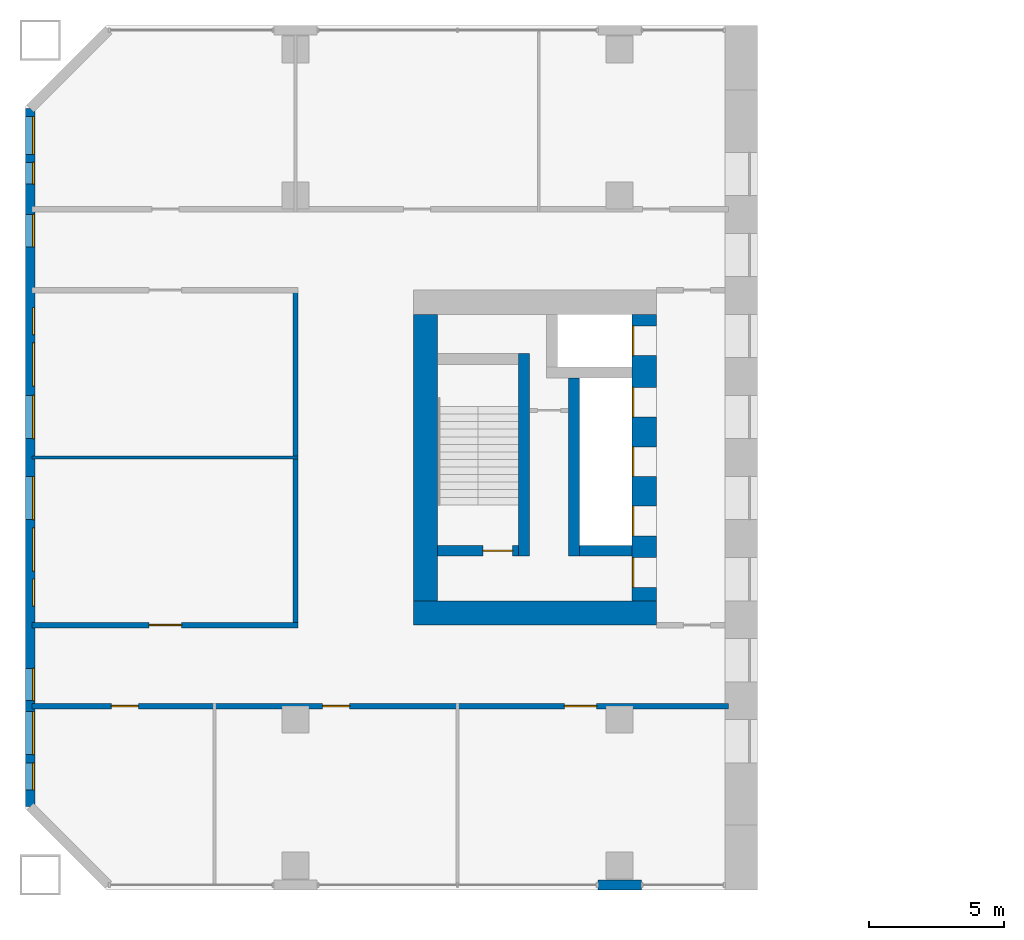
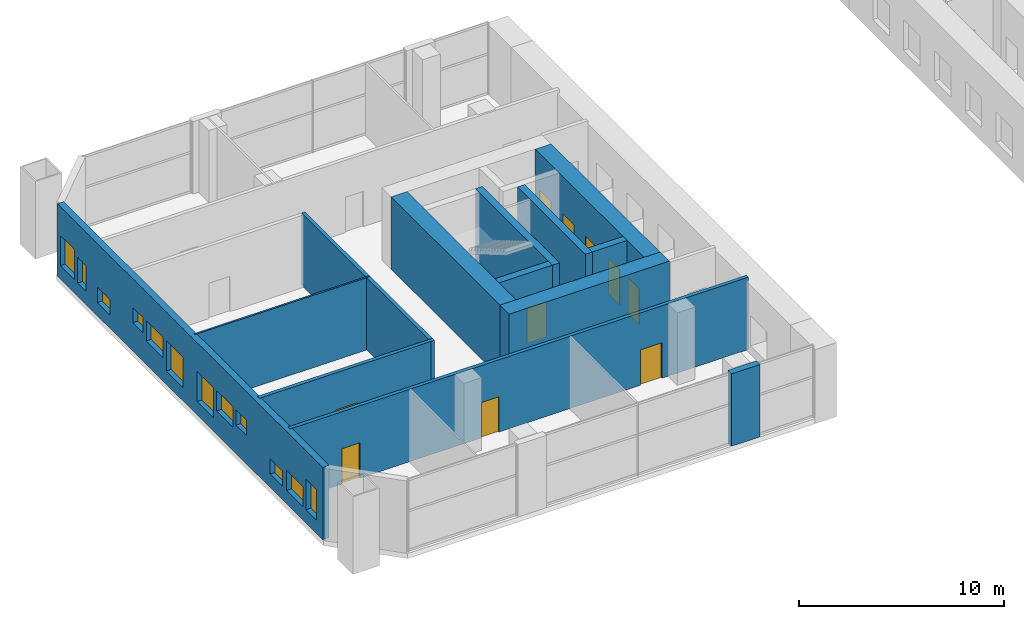
# One storey, part 9 of 19: 13 walls, 12 windows, 10 doors, 22 openings.
"""IFC4 building model written with IfcOpenShell, lengths in metres."""

from ifc_helpers import new_model, si_unit, direction, frame, frame_2d, origin, place, context, subcontext, project, spatial, rectangle, extrude, material, layer, layer_set, type_object, element, fill, save


model = new_model("IFC4")

# Units and contexts
model_context = context("Model", 3, precision=1e-05, world=origin(), true_north=direction((0.0, 1.0)))
body_context = subcontext(model_context, "Body", "Model", "MODEL_VIEW")
ifc_project = project(units=[si_unit("LENGTHUNIT", "METRE"), si_unit("AREAUNIT", "SQUARE_METRE"), si_unit("VOLUMEUNIT", "CUBIC_METRE"), si_unit("PLANEANGLEUNIT", "RADIAN"), si_unit("MASSUNIT", "GRAM", prefix="KILO")], contexts=[model_context])

# Site, building, storey
site_placement = place(None, origin())
site = spatial("IfcSite", under=ifc_project, at=site_placement, CompositionType="ELEMENT")
building_placement = place(site_placement, origin())
building = spatial("IfcBuilding", under=site, at=building_placement, Name="Tuart Gate Housing", CompositionType="ELEMENT")
storey_placement = place(building_placement, frame((0.0, 0.0, 10.10009765625)))
storey = spatial("IfcBuildingStorey", under=building, at=storey_placement, Name="L02", CompositionType="ELEMENT", Elevation=10.10009765625)

# Wall
ifc_material_1 = material(Name="Brick", Category="masonry")
ifc_layer_1 = layer(ifc_material_1, 0.360107421875)
ifc_layer_set_1 = layer_set([ifc_layer_1], Name="Brick pier and spandrel wall 360")
wall_type_1 = type_object("IfcWallType", Name="Brick pier and spandrel wall 360", PredefinedType="STANDARD", material=ifc_layer_set_1)
wall_1_placement = place(storey_placement, frame((39.199951171875, 54.179931640625, 0.0), z_axis=(0.0, 0.0, 1.0), x_axis=(1.0, 0.0, 0.0)))
element("IfcWall", 1, at=wall_1_placement, inside=storey, type_object=wall_type_1, Name="External wall A-S L02", PredefinedType="STANDARD", context=body_context, shape_type="SweptSolid", body=[
    extrude(rectangle(XDim=1.60009765625, YDim=0.360107421875, at=frame_2d((0.800048828125, 0.0))), origin(), (0.0, 0.0, 1.0), 4.2998046875),
])

# Wall, openings, windows
wall_2_placement = place(storey_placement, frame((18.179931640625, 82.92529296875, 0.0), z_axis=(0.0, 0.0, 1.0), x_axis=(0.0, -1.0, 0.0)))
wall_2 = element("IfcWall", 2, at=wall_2_placement, inside=storey, type_object=wall_type_1, Name="External wall A-W L02", PredefinedType="STANDARD", context=body_context, shape_type="SweptSolid", body=[
    extrude(rectangle(XDim=25.850830078125, YDim=0.360107421875, at=frame_2d((12.92529296875, 0.0))), origin(), (0.0, 0.0, 1.0), 4.2998046875),
])
opening_1_placement = place(wall_2_placement, frame((0.300048828125, 0.0, 0.800048828125)))
opening_1 = element("IfcOpeningElement", 3, at=opening_1_placement, cuts=wall_2, Name="Opening W1A", PredefinedType="OPENING", context=body_context, shape_type="SweptSolid", body=[
    extrude(rectangle(XDim=1.39990234375, YDim=1.800048828125, at=frame_2d((0.699951171875, 0.89990234375))), frame((0.0, 0.18994140625, 0.0), z_axis=(0.0, -1.0, 0.0), x_axis=(1.0, 0.0, 0.0)), (0.0, 0.0, 1.0), 0.380126953125),
])
opening_2_placement = place(wall_2_placement, frame((3.92529296875, 0.0, 0.800048828125)))
opening_2 = element("IfcOpeningElement", 4, at=opening_2_placement, cuts=wall_2, Name="Opening W1T", PredefinedType="OPENING", context=body_context, shape_type="SweptSolid", body=[
    extrude(rectangle(XDim=1.199951171875, YDim=0.89990234375, at=frame_2d((0.60009765625, 0.449951171875))), frame((0.0, 0.18994140625, 0.0), z_axis=(0.0, -1.0, 0.0), x_axis=(1.0, 0.0, 0.0)), (0.0, 0.0, 1.0), 0.380126953125),
])
opening_3_placement = place(wall_2_placement, frame((7.37548828125, 0.0, 1.699951171875)))
opening_3 = element("IfcOpeningElement", 5, at=opening_3_placement, cuts=wall_2, Name="Opening W1U", PredefinedType="OPENING", context=body_context, shape_type="SweptSolid", body=[
    extrude(rectangle(XDim=1.0, YDim=0.89990234375, at=frame_2d((0.5, 0.449951171875))), frame((0.0, 0.18994140625, 0.0), z_axis=(0.0, -1.0, 0.0), x_axis=(1.0, 0.0, 0.0)), (0.0, 0.0, 1.0), 0.380126953125),
])
opening_4_placement = place(wall_2_placement, frame((10.62548828125, 0.0, 0.800048828125)))
opening_4 = element("IfcOpeningElement", 6, at=opening_4_placement, cuts=wall_2, Name="Opening W1", PredefinedType="OPENING", context=body_context, shape_type="SweptSolid", body=[
    extrude(rectangle(XDim=1.60009765625, YDim=1.800048828125, at=frame_2d((0.800048828125, 0.89990234375))), frame((0.0, 0.18994140625, 0.0), z_axis=(0.0, -1.0, 0.0), x_axis=(1.0, 0.0, 0.0)), (0.0, 0.0, 1.0), 0.380126953125),
])
opening_5_placement = place(wall_2_placement, frame((13.62548828125, 0.0, 0.800048828125)))
opening_5 = element("IfcOpeningElement", 7, at=opening_5_placement, cuts=wall_2, Name="Opening W1", PredefinedType="OPENING", context=body_context, shape_type="SweptSolid", body=[
    extrude(rectangle(XDim=1.60009765625, YDim=1.800048828125, at=frame_2d((0.800048828125, 0.89990234375))), frame((0.0, 0.18994140625, 0.0), z_axis=(0.0, -1.0, 0.0), x_axis=(1.0, 0.0, 0.0)), (0.0, 0.0, 1.0), 0.380126953125),
])
opening_6_placement = place(wall_2_placement, frame((15.525390625, 0.0, 1.39990234375)))
opening_6 = element("IfcOpeningElement", 8, at=opening_6_placement, cuts=wall_2, Name="Opening W1L", PredefinedType="OPENING", context=body_context, shape_type="SweptSolid", body=[
    extrude(rectangle(XDim=1.60009765625, YDim=1.199951171875, at=frame_2d((0.800048828125, 0.60009765625))), frame((0.0, 0.18994140625, 0.0), z_axis=(0.0, -1.0, 0.0), x_axis=(1.0, 0.0, 0.0)), (0.0, 0.0, 1.0), 0.380126953125),
])
opening_7_placement = place(wall_2_placement, frame((20.725341796875, 0.0, 0.800048828125)))
opening_7 = element("IfcOpeningElement", 9, at=opening_7_placement, cuts=wall_2, Name="Opening W1T", PredefinedType="OPENING", context=body_context, shape_type="SweptSolid", body=[
    extrude(rectangle(XDim=1.199951171875, YDim=0.89990234375, at=frame_2d((0.60009765625, 0.449951171875))), frame((0.0, 0.18994140625, 0.0), z_axis=(0.0, -1.0, 0.0), x_axis=(1.0, 0.0, 0.0)), (0.0, 0.0, 1.0), 0.380126953125),
])
opening_8_placement = place(wall_2_placement, frame((22.325439453125, 0.0, 0.800048828125)))
opening_8 = element("IfcOpeningElement", 10, at=opening_8_placement, cuts=wall_2, Name="Opening W1L", PredefinedType="OPENING", context=body_context, shape_type="SweptSolid", body=[
    extrude(rectangle(XDim=1.60009765625, YDim=1.199951171875, at=frame_2d((0.800048828125, 0.60009765625))), frame((0.0, 0.18994140625, 0.0), z_axis=(0.0, -1.0, 0.0), x_axis=(1.0, 0.0, 0.0)), (0.0, 0.0, 1.0), 0.380126953125),
])
opening_9_placement = place(wall_2_placement, frame((2.0, 0.0, 0.800048828125)))
opening_9 = element("IfcOpeningElement", 11, at=opening_9_placement, cuts=wall_2, Name="Opening W1J", PredefinedType="OPENING", context=body_context, shape_type="SweptSolid", body=[
    extrude(rectangle(XDim=0.800048828125, YDim=1.5, at=frame_2d((0.39990234375, 0.75))), frame((0.0, 0.18994140625, 0.0), z_axis=(0.0, -1.0, 0.0), x_axis=(1.0, 0.0, 0.0)), (0.0, 0.0, 1.0), 0.380126953125),
])
opening_10_placement = place(wall_2_placement, frame((8.67529296875, 0.0, 1.39990234375)))
opening_10 = element("IfcOpeningElement", 12, at=opening_10_placement, cuts=wall_2, Name="Opening W1L", PredefinedType="OPENING", context=body_context, shape_type="SweptSolid", body=[
    extrude(rectangle(XDim=1.60009765625, YDim=1.199951171875, at=frame_2d((0.800048828125, 0.60009765625))), frame((0.0, 0.18994140625, 0.0), z_axis=(0.0, -1.0, 0.0), x_axis=(1.0, 0.0, 0.0)), (0.0, 0.0, 1.0), 0.380126953125),
])
opening_11_placement = place(wall_2_placement, frame((17.42529296875, 0.0, 1.699951171875)))
opening_11 = element("IfcOpeningElement", 13, at=opening_11_placement, cuts=wall_2, Name="Opening W1U", PredefinedType="OPENING", context=body_context, shape_type="SweptSolid", body=[
    extrude(rectangle(XDim=1.0, YDim=0.89990234375, at=frame_2d((0.5, 0.449951171875))), frame((0.0, 0.18994140625, 0.0), z_axis=(0.0, -1.0, 0.0), x_axis=(1.0, 0.0, 0.0)), (0.0, 0.0, 1.0), 0.380126953125),
])
opening_12_placement = place(wall_2_placement, frame((24.225341796875, 0.0, 0.800048828125)))
opening_12 = element("IfcOpeningElement", 14, at=opening_12_placement, cuts=wall_2, Name="Opening W1C", PredefinedType="OPENING", context=body_context, shape_type="SweptSolid", body=[
    extrude(rectangle(XDim=1.0, YDim=1.800048828125, at=frame_2d((0.5, 0.89990234375))), frame((0.0, 0.18994140625, 0.0), z_axis=(0.0, -1.0, 0.0), x_axis=(1.0, 0.0, 0.0)), (0.0, 0.0, 1.0), 0.380126953125),
])
ifc_material_2 = material(Name="Aluminium frame with clear glass", Category="aluminium")
window_type_1 = type_object("IfcWindowType", Name="Punched window 1000 x 1800", PartitioningType="SINGLE_PANEL", PredefinedType="WINDOW", material=ifc_material_2)
window_1_placement = place(opening_12_placement, origin())
window_1 = element("IfcWindow", 15, at=window_1_placement, inside=storey, type_object=window_type_1, Name="Window W1C", OverallHeight=1.800048828125, OverallWidth=1.0, PartitioningType="SINGLE_PANEL", PredefinedType="WINDOW", context=body_context, shape_type="SweptSolid", body=[
    extrude(rectangle(XDim=1.0, YDim=1.800048828125, at=frame_2d((0.5, 0.89990234375))), frame((0.0, 0.150146484375, 0.0), z_axis=(0.0, -1.0, 0.0), x_axis=(1.0, 0.0, 0.0)), (0.0, 0.0, 1.0), 0.06005859375),
])
fill(opening_12, window_1)
ifc_material_3 = material(Name="Aluminium frame with clear glass", Category="aluminium")
window_type_2 = type_object("IfcWindowType", Name="Punched window 1000 x 900", PartitioningType="SINGLE_PANEL", PredefinedType="WINDOW", material=ifc_material_3)
window_2_placement = place(opening_3_placement, origin())
window_2 = element("IfcWindow", 16, at=window_2_placement, inside=storey, type_object=window_type_2, Name="Window W1U", OverallHeight=0.89990234375, OverallWidth=1.0, PartitioningType="SINGLE_PANEL", PredefinedType="WINDOW", context=body_context, shape_type="SweptSolid", body=[
    extrude(rectangle(XDim=1.0, YDim=0.89990234375, at=frame_2d((0.5, 0.449951171875))), frame((0.0, 0.150146484375, 0.0), z_axis=(0.0, -1.0, 0.0), x_axis=(1.0, 0.0, 0.0)), (0.0, 0.0, 1.0), 0.06005859375),
])
fill(opening_3, window_2)
window_3_placement = place(opening_11_placement, origin())
window_3 = element("IfcWindow", 17, at=window_3_placement, inside=storey, type_object=window_type_2, Name="Window W1U", OverallHeight=0.89990234375, OverallWidth=1.0, PartitioningType="SINGLE_PANEL", PredefinedType="WINDOW", context=body_context, shape_type="SweptSolid", body=[
    extrude(rectangle(XDim=1.0, YDim=0.89990234375, at=frame_2d((0.5, 0.449951171875))), frame((0.0, 0.150146484375, 0.0), z_axis=(0.0, -1.0, 0.0), x_axis=(1.0, 0.0, 0.0)), (0.0, 0.0, 1.0), 0.06005859375),
])
fill(opening_11, window_3)
ifc_material_4 = material(Name="Aluminium frame with clear glass", Category="aluminium")
window_type_3 = type_object("IfcWindowType", Name="Punched window 1200 x 900", PartitioningType="SINGLE_PANEL", PredefinedType="WINDOW", material=ifc_material_4)
window_4_placement = place(opening_2_placement, origin())
window_4 = element("IfcWindow", 18, at=window_4_placement, inside=storey, type_object=window_type_3, Name="Window W1T", OverallHeight=0.89990234375, OverallWidth=1.199951171875, PartitioningType="SINGLE_PANEL", PredefinedType="WINDOW", context=body_context, shape_type="SweptSolid", body=[
    extrude(rectangle(XDim=1.199951171875, YDim=0.89990234375, at=frame_2d((0.60009765625, 0.449951171875))), frame((0.0, 0.150146484375, 0.0), z_axis=(0.0, -1.0, 0.0), x_axis=(1.0, 0.0, 0.0)), (0.0, 0.0, 1.0), 0.06005859375),
])
fill(opening_2, window_4)
window_5_placement = place(opening_7_placement, origin())
window_5 = element("IfcWindow", 19, at=window_5_placement, inside=storey, type_object=window_type_3, Name="Window W1T", OverallHeight=0.89990234375, OverallWidth=1.199951171875, PartitioningType="SINGLE_PANEL", PredefinedType="WINDOW", context=body_context, shape_type="SweptSolid", body=[
    extrude(rectangle(XDim=1.199951171875, YDim=0.89990234375, at=frame_2d((0.60009765625, 0.449951171875))), frame((0.0, 0.150146484375, 0.0), z_axis=(0.0, -1.0, 0.0), x_axis=(1.0, 0.0, 0.0)), (0.0, 0.0, 1.0), 0.06005859375),
])
fill(opening_7, window_5)
ifc_material_5 = material(Name="Aluminium frame with clear glass", Category="aluminium")
window_type_4 = type_object("IfcWindowType", Name="Punched window 1400 x 1800", PartitioningType="SINGLE_PANEL", PredefinedType="WINDOW", material=ifc_material_5)
window_6_placement = place(opening_1_placement, origin())
window_6 = element("IfcWindow", 20, at=window_6_placement, inside=storey, type_object=window_type_4, Name="Window W1A", OverallHeight=1.800048828125, OverallWidth=1.39990234375, PartitioningType="SINGLE_PANEL", PredefinedType="WINDOW", context=body_context, shape_type="SweptSolid", body=[
    extrude(rectangle(XDim=1.39990234375, YDim=1.800048828125, at=frame_2d((0.699951171875, 0.89990234375))), frame((0.0, 0.150146484375, 0.0), z_axis=(0.0, -1.0, 0.0), x_axis=(1.0, 0.0, 0.0)), (0.0, 0.0, 1.0), 0.06005859375),
])
fill(opening_1, window_6)
ifc_material_6 = material(Name="Aluminium frame with clear glass", Category="aluminium")
window_type_5 = type_object("IfcWindowType", Name="Punched window 1600 x 1200", PartitioningType="SINGLE_PANEL", PredefinedType="WINDOW", material=ifc_material_6)
window_7_placement = place(opening_6_placement, origin())
window_7 = element("IfcWindow", 21, at=window_7_placement, inside=storey, type_object=window_type_5, Name="Window W1L", OverallHeight=1.199951171875, OverallWidth=1.60009765625, PartitioningType="SINGLE_PANEL", PredefinedType="WINDOW", context=body_context, shape_type="SweptSolid", body=[
    extrude(rectangle(XDim=1.60009765625, YDim=1.199951171875, at=frame_2d((0.800048828125, 0.60009765625))), frame((0.0, 0.150146484375, 0.0), z_axis=(0.0, -1.0, 0.0), x_axis=(1.0, 0.0, 0.0)), (0.0, 0.0, 1.0), 0.06005859375),
])
fill(opening_6, window_7)
window_8_placement = place(opening_8_placement, origin())
window_8 = element("IfcWindow", 22, at=window_8_placement, inside=storey, type_object=window_type_5, Name="Window W1L", OverallHeight=1.199951171875, OverallWidth=1.60009765625, PartitioningType="SINGLE_PANEL", PredefinedType="WINDOW", context=body_context, shape_type="SweptSolid", body=[
    extrude(rectangle(XDim=1.60009765625, YDim=1.199951171875, at=frame_2d((0.800048828125, 0.60009765625))), frame((0.0, 0.150146484375, 0.0), z_axis=(0.0, -1.0, 0.0), x_axis=(1.0, 0.0, 0.0)), (0.0, 0.0, 1.0), 0.06005859375),
])
fill(opening_8, window_8)
window_9_placement = place(opening_10_placement, origin())
window_9 = element("IfcWindow", 23, at=window_9_placement, inside=storey, type_object=window_type_5, Name="Window W1L", OverallHeight=1.199951171875, OverallWidth=1.60009765625, PartitioningType="SINGLE_PANEL", PredefinedType="WINDOW", context=body_context, shape_type="SweptSolid", body=[
    extrude(rectangle(XDim=1.60009765625, YDim=1.199951171875, at=frame_2d((0.800048828125, 0.60009765625))), frame((0.0, 0.150146484375, 0.0), z_axis=(0.0, -1.0, 0.0), x_axis=(1.0, 0.0, 0.0)), (0.0, 0.0, 1.0), 0.06005859375),
])
fill(opening_10, window_9)
ifc_material_7 = material(Name="Aluminium frame with clear glass", Category="aluminium")
window_type_6 = type_object("IfcWindowType", Name="Punched window 1600 x 1800", PartitioningType="SINGLE_PANEL", PredefinedType="WINDOW", material=ifc_material_7)
window_10_placement = place(opening_4_placement, origin())
window_10 = element("IfcWindow", 24, at=window_10_placement, inside=storey, type_object=window_type_6, Name="Window W1", OverallHeight=1.800048828125, OverallWidth=1.60009765625, PartitioningType="SINGLE_PANEL", PredefinedType="WINDOW", context=body_context, shape_type="SweptSolid", body=[
    extrude(rectangle(XDim=1.60009765625, YDim=1.800048828125, at=frame_2d((0.800048828125, 0.89990234375))), frame((0.0, 0.150146484375, 0.0), z_axis=(0.0, -1.0, 0.0), x_axis=(1.0, 0.0, 0.0)), (0.0, 0.0, 1.0), 0.06005859375),
])
fill(opening_4, window_10)
window_11_placement = place(opening_5_placement, origin())
window_11 = element("IfcWindow", 25, at=window_11_placement, inside=storey, type_object=window_type_6, Name="Window W1", OverallHeight=1.800048828125, OverallWidth=1.60009765625, PartitioningType="SINGLE_PANEL", PredefinedType="WINDOW", context=body_context, shape_type="SweptSolid", body=[
    extrude(rectangle(XDim=1.60009765625, YDim=1.800048828125, at=frame_2d((0.800048828125, 0.89990234375))), frame((0.0, 0.150146484375, 0.0), z_axis=(0.0, -1.0, 0.0), x_axis=(1.0, 0.0, 0.0)), (0.0, 0.0, 1.0), 0.06005859375),
])
fill(opening_5, window_11)
ifc_material_8 = material(Name="Aluminium frame with clear glass", Category="aluminium")
window_type_7 = type_object("IfcWindowType", Name="Punched window 800 x 1500", PartitioningType="SINGLE_PANEL", PredefinedType="WINDOW", material=ifc_material_8)
window_12_placement = place(opening_9_placement, origin())
window_12 = element("IfcWindow", 26, at=window_12_placement, inside=storey, type_object=window_type_7, Name="Window W1J", OverallHeight=1.5, OverallWidth=0.800048828125, PartitioningType="SINGLE_PANEL", PredefinedType="WINDOW", context=body_context, shape_type="SweptSolid", body=[
    extrude(rectangle(XDim=0.800048828125, YDim=1.5, at=frame_2d((0.39990234375, 0.75))), frame((0.0, 0.150146484375, 0.0), z_axis=(0.0, -1.0, 0.0), x_axis=(1.0, 0.0, 0.0)), (0.0, 0.0, 1.0), 0.06005859375),
])
fill(opening_9, window_12)

# Wall
ifc_material_9 = material(Name="Concrete C60", Category="concrete")
ifc_layer_2 = layer(ifc_material_9, 0.39990234375)
ifc_layer_set_2 = layer_set([ifc_layer_2], Name="Core wall 400 C60")
wall_type_2 = type_object("IfcWallType", Name="Core wall 400 C60", PredefinedType="SHEAR", material=ifc_layer_set_2)
wall_3_placement = place(storey_placement, frame((40.4599609375, 66.550048828125, 0.0), z_axis=(0.0, 0.0, 1.0), x_axis=(-1.0, 0.0, 0.0)))
element("IfcWall", 27, at=wall_3_placement, inside=storey, type_object=wall_type_2, Name="Core wall AK.4", PredefinedType="SHEAR", context=body_context, shape_type="SweptSolid", body=[
    extrude(rectangle(XDim=1.949951171875, YDim=0.39990234375, at=frame_2d((0.97509765625, 0.0))), origin(), (0.0, 0.0, 1.0), 4.2998046875),
])

# Wall, opening, door
wall_4_placement = place(storey_placement, frame((36.260009765625, 66.550048828125, 0.0), z_axis=(0.0, 0.0, 1.0), x_axis=(-1.0, 0.0, 0.0)))
wall_4 = element("IfcWall", 28, at=wall_4_placement, inside=storey, type_object=wall_type_2, Name="Core wall AK.5", PredefinedType="SHEAR", context=body_context, shape_type="SweptSolid", body=[
    extrude(rectangle(XDim=3.0, YDim=0.39990234375, at=frame_2d((1.5, 0.0))), origin(), (0.0, 0.0, 1.0), 4.2998046875),
])
opening_13_placement = place(wall_4_placement, frame((0.219970703125, 0.0, 0.0)))
opening_13 = element("IfcOpeningElement", 29, at=opening_13_placement, cuts=wall_4, Name="Opening D3192", PredefinedType="OPENING", context=body_context, shape_type="SweptSolid", body=[
    extrude(rectangle(XDim=1.10009765625, YDim=2.10009765625, at=frame_2d((0.550048828125, 1.050048828125))), frame((0.0, 0.2099609375, 0.0), z_axis=(0.0, -1.0, 0.0), x_axis=(1.0, 0.0, 0.0)), (0.0, 0.0, 1.0), 0.419921875),
])
ifc_material_10 = material(Name="Steel fire door", Category="steel")
door_type_1 = type_object("IfcDoorType", Name="Stair door 1100 x 2100 RH", OperationType="SINGLE_SWING_RIGHT", PredefinedType="DOOR", material=ifc_material_10)
door_1_placement = place(opening_13_placement, frame((1.10009765625, 0.0, 0.0), z_axis=(0.0, 0.0, 1.0), x_axis=(-1.0, 0.0, 0.0)))
door_1 = element("IfcDoor", 30, at=door_1_placement, inside=storey, type_object=door_type_1, Name="Stair door AK.SD", OperationType="SINGLE_SWING_RIGHT", OverallHeight=2.10009765625, OverallWidth=1.10009765625, PredefinedType="DOOR", context=body_context, shape_type="SweptSolid", body=[
    extrude(rectangle(XDim=1.10009765625, YDim=2.10009765625, at=frame_2d((0.550048828125, 1.050048828125))), frame((0.0, 0.025146484375, 0.0), z_axis=(0.0, -1.0, 0.0), x_axis=(1.0, 0.0, 0.0)), (0.0, 0.0, 1.0), 0.050048828125),
])
fill(opening_13, door_1)

# Walls
wall_5_placement = place(storey_placement, frame((38.31005859375, 72.949951171875, 0.0), z_axis=(0.0, 0.0, 1.0), x_axis=(0.0, -1.0, 0.0)))
element("IfcWall", 31, at=wall_5_placement, inside=storey, type_object=wall_type_2, Name="Core wall AK.6", PredefinedType="SHEAR", context=body_context, shape_type="SweptSolid", body=[
    extrude(rectangle(XDim=6.599853515625, YDim=0.39990234375, at=frame_2d((3.2998046875, 0.0))), origin(), (0.0, 0.0, 1.0), 4.2998046875),
])
wall_6_placement = place(storey_placement, frame((36.4599609375, 73.85009765625, 0.0), z_axis=(0.0, 0.0, 1.0), x_axis=(0.0, -1.0, 0.0)))
element("IfcWall", 32, at=wall_6_placement, inside=storey, type_object=wall_type_2, Name="Core wall AK.8", PredefinedType="SHEAR", context=body_context, shape_type="SweptSolid", body=[
    extrude(rectangle(XDim=7.5, YDim=0.39990234375, at=frame_2d((3.75, 0.0))), origin(), (0.0, 0.0, 1.0), 4.2998046875),
])

# Wall, openings, doors
ifc_material_11 = material(Name="Concrete C60", Category="concrete")
ifc_layer_3 = layer(ifc_material_11, 0.89990234375)
ifc_layer_set_3 = layer_set([ifc_layer_3], Name="Core wall 900 C60")
wall_type_3 = type_object("IfcWallType", Name="Core wall 900 C60", PredefinedType="SHEAR", material=ifc_layer_set_3)
wall_7_placement = place(storey_placement, frame((40.909912109375, 75.300048828125, 0.0), z_axis=(0.0, 0.0, 1.0), x_axis=(0.0, -1.0, 0.0)))
wall_7 = element("IfcWall", 33, at=wall_7_placement, inside=storey, type_object=wall_type_3, Name="Core wall AK front", PredefinedType="SHEAR", context=body_context, shape_type="SweptSolid", body=[
    extrude(rectangle(XDim=10.60009765625, YDim=0.89990234375, at=frame_2d((5.300048828125, 0.0))), origin(), (0.0, 0.0, 1.0), 4.2998046875),
])
opening_14_placement = place(wall_7_placement, frame((0.425048828125, 0.0, 0.0)))
opening_14 = element("IfcOpeningElement", 34, at=opening_14_placement, cuts=wall_7, Name="Opening LD-FA2", PredefinedType="OPENING", context=body_context, shape_type="SweptSolid", body=[
    extrude(rectangle(XDim=1.10009765625, YDim=2.10009765625, at=frame_2d((0.550048828125, 1.050048828125))), frame((0.0, 0.4599609375, 0.0), z_axis=(0.0, -1.0, 0.0), x_axis=(1.0, 0.0, 0.0)), (0.0, 0.0, 1.0), 0.919921875),
])
opening_15_placement = place(wall_7_placement, frame((2.699951171875, 0.0, 0.0)))
opening_15 = element("IfcOpeningElement", 35, at=opening_15_placement, cuts=wall_7, Name="Opening LD-LA4", PredefinedType="OPENING", context=body_context, shape_type="SweptSolid", body=[
    extrude(rectangle(XDim=1.10009765625, YDim=2.10009765625, at=frame_2d((0.550048828125, 1.050048828125))), frame((0.0, 0.4599609375, 0.0), z_axis=(0.0, -1.0, 0.0), x_axis=(1.0, 0.0, 0.0)), (0.0, 0.0, 1.0), 0.919921875),
])
opening_16_placement = place(wall_7_placement, frame((4.89990234375, 0.0, 0.0)))
opening_16 = element("IfcOpeningElement", 36, at=opening_16_placement, cuts=wall_7, Name="Opening LD-LA5", PredefinedType="OPENING", context=body_context, shape_type="SweptSolid", body=[
    extrude(rectangle(XDim=1.10009765625, YDim=2.10009765625, at=frame_2d((0.550048828125, 1.050048828125))), frame((0.0, 0.4599609375, 0.0), z_axis=(0.0, -1.0, 0.0), x_axis=(1.0, 0.0, 0.0)), (0.0, 0.0, 1.0), 0.919921875),
])
opening_17_placement = place(wall_7_placement, frame((7.10009765625, 0.0, 0.0)))
opening_17 = element("IfcOpeningElement", 37, at=opening_17_placement, cuts=wall_7, Name="Opening LD-LA6", PredefinedType="OPENING", context=body_context, shape_type="SweptSolid", body=[
    extrude(rectangle(XDim=1.10009765625, YDim=2.10009765625, at=frame_2d((0.550048828125, 1.050048828125))), frame((0.0, 0.4599609375, 0.0), z_axis=(0.0, -1.0, 0.0), x_axis=(1.0, 0.0, 0.0)), (0.0, 0.0, 1.0), 0.919921875),
])
opening_18_placement = place(wall_7_placement, frame((9.0, 0.0, 0.0)))
opening_18 = element("IfcOpeningElement", 38, at=opening_18_placement, cuts=wall_7, Name="Opening D3188", PredefinedType="OPENING", context=body_context, shape_type="SweptSolid", body=[
    extrude(rectangle(XDim=1.10009765625, YDim=2.10009765625, at=frame_2d((0.550048828125, 1.050048828125))), frame((0.0, 0.4599609375, 0.0), z_axis=(0.0, -1.0, 0.0), x_axis=(1.0, 0.0, 0.0)), (0.0, 0.0, 1.0), 0.919921875),
])
ifc_material_12 = material(Name="Stainless steel", Category="steel")
door_type_2 = type_object("IfcDoorType", Name="Landing door 1100 x 2100", OperationType="DOUBLE_DOOR_SLIDING", PredefinedType="DOOR", material=ifc_material_12)
door_2_placement = place(opening_14_placement, origin())
door_2 = element("IfcDoor", 39, at=door_2_placement, inside=storey, type_object=door_type_2, Name="Lift landing door FA2", OperationType="DOUBLE_DOOR_SLIDING", OverallHeight=2.10009765625, OverallWidth=1.10009765625, PredefinedType="DOOR", context=body_context, shape_type="SweptSolid", body=[
    extrude(rectangle(XDim=1.10009765625, YDim=2.10009765625, at=frame_2d((0.550048828125, 1.050048828125))), frame((0.0, -0.384765625, 0.0), z_axis=(0.0, -1.0, 0.0), x_axis=(1.0, 0.0, 0.0)), (0.0, 0.0, 1.0), 0.050048828125),
])
fill(opening_14, door_2)
door_3_placement = place(opening_15_placement, origin())
door_3 = element("IfcDoor", 40, at=door_3_placement, inside=storey, type_object=door_type_2, Name="Lift landing door LA4", OperationType="DOUBLE_DOOR_SLIDING", OverallHeight=2.10009765625, OverallWidth=1.10009765625, PredefinedType="DOOR", context=body_context, shape_type="SweptSolid", body=[
    extrude(rectangle(XDim=1.10009765625, YDim=2.10009765625, at=frame_2d((0.550048828125, 1.050048828125))), frame((0.0, -0.384765625, 0.0), z_axis=(0.0, -1.0, 0.0), x_axis=(1.0, 0.0, 0.0)), (0.0, 0.0, 1.0), 0.050048828125),
])
fill(opening_15, door_3)
door_4_placement = place(opening_16_placement, origin())
door_4 = element("IfcDoor", 41, at=door_4_placement, inside=storey, type_object=door_type_2, Name="Lift landing door LA5", OperationType="DOUBLE_DOOR_SLIDING", OverallHeight=2.10009765625, OverallWidth=1.10009765625, PredefinedType="DOOR", context=body_context, shape_type="SweptSolid", body=[
    extrude(rectangle(XDim=1.10009765625, YDim=2.10009765625, at=frame_2d((0.550048828125, 1.050048828125))), frame((0.0, -0.384765625, 0.0), z_axis=(0.0, -1.0, 0.0), x_axis=(1.0, 0.0, 0.0)), (0.0, 0.0, 1.0), 0.050048828125),
])
fill(opening_16, door_4)
door_5_placement = place(opening_17_placement, origin())
door_5 = element("IfcDoor", 42, at=door_5_placement, inside=storey, type_object=door_type_2, Name="Lift landing door LA6", OperationType="DOUBLE_DOOR_SLIDING", OverallHeight=2.10009765625, OverallWidth=1.10009765625, PredefinedType="DOOR", context=body_context, shape_type="SweptSolid", body=[
    extrude(rectangle(XDim=1.10009765625, YDim=2.10009765625, at=frame_2d((0.550048828125, 1.050048828125))), frame((0.0, -0.384765625, 0.0), z_axis=(0.0, -1.0, 0.0), x_axis=(1.0, 0.0, 0.0)), (0.0, 0.0, 1.0), 0.050048828125),
])
fill(opening_17, door_5)
ifc_material_13 = material(Name="Steel fire door", Category="steel")
door_type_3 = type_object("IfcDoorType", Name="Lobby door 1100 x 2100 RH", OperationType="SINGLE_SWING_RIGHT", PredefinedType="DOOR", material=ifc_material_13)
door_6_placement = place(opening_18_placement, frame((1.10009765625, 0.0, 0.0), z_axis=(0.0, 0.0, 1.0), x_axis=(-1.0, 0.0, 0.0)))
door_6 = element("IfcDoor", 43, at=door_6_placement, inside=storey, type_object=door_type_3, Name="Lobby entry door AK.EN", OperationType="SINGLE_SWING_RIGHT", OverallHeight=2.10009765625, OverallWidth=1.10009765625, PredefinedType="DOOR", context=body_context, shape_type="SweptSolid", body=[
    extrude(rectangle(XDim=1.10009765625, YDim=2.10009765625, at=frame_2d((0.550048828125, 1.050048828125))), frame((0.0, 0.434814453125, 0.0), z_axis=(0.0, -1.0, 0.0), x_axis=(1.0, 0.0, 0.0)), (0.0, 0.0, 1.0), 0.050048828125),
])
fill(opening_18, door_6)

# Walls
wall_8_placement = place(storey_placement, frame((32.81005859375, 75.300048828125, 0.0), z_axis=(0.0, 0.0, 1.0), x_axis=(0.0, -1.0, 0.0)))
element("IfcWall", 44, at=wall_8_placement, inside=storey, type_object=wall_type_3, Name="Core wall AK back", PredefinedType="SHEAR", context=body_context, shape_type="SweptSolid", body=[
    extrude(rectangle(XDim=10.60009765625, YDim=0.89990234375, at=frame_2d((5.300048828125, 0.0))), origin(), (0.0, 0.0, 1.0), 4.2998046875),
])
wall_9_placement = place(storey_placement, frame((41.360107421875, 64.25, 0.0), z_axis=(0.0, 0.0, 1.0), x_axis=(-1.0, 0.0, 0.0)))
element("IfcWall", 45, at=wall_9_placement, inside=storey, type_object=wall_type_3, Name="Core wall AK north", PredefinedType="SHEAR", context=body_context, shape_type="SweptSolid", body=[
    extrude(rectangle(XDim=9.0, YDim=0.89990234375, at=frame_2d((4.5, 0.0))), origin(), (0.0, 0.0, 1.0), 4.2998046875),
])

# Wall, openings, doors
ifc_material_14 = material(Name="Concrete masonry 15 MPa", Category="masonry")
ifc_layer_4 = layer(ifc_material_14, 0.199951171875)
ifc_layer_set_4 = layer_set([ifc_layer_4], Name="Corridor wall masonry 200")
wall_type_4 = type_object("IfcWallType", Name="Corridor wall masonry 200", PredefinedType="PARTITIONING", material=ifc_layer_set_4)
wall_10_placement = place(storey_placement, frame((18.239990234375, 60.800048828125, 0.0), z_axis=(0.0, 0.0, 1.0), x_axis=(1.0, 0.0, 0.0)))
wall_10 = element("IfcWall", 46, at=wall_10_placement, inside=storey, type_object=wall_type_4, Name="Corridor wall masonry 200", PredefinedType="PARTITIONING", context=body_context, shape_type="SweptSolid", body=[
    extrude(rectangle(XDim=25.780029296875, YDim=0.199951171875, at=frame_2d((12.89013671875, 0.0))), origin(), (0.0, 0.0, 1.0), 4.2998046875),
])
opening_19_placement = place(wall_10_placement, frame((2.93994140625, 0.0, 0.0)))
opening_19 = element("IfcOpeningElement", 47, at=opening_19_placement, cuts=wall_10, Name="Opening D3196", PredefinedType="OPENING", context=body_context, shape_type="SweptSolid", body=[
    extrude(rectangle(XDim=1.0, YDim=2.10009765625, at=frame_2d((0.5, 1.050048828125))), frame((0.0, 0.10986328125, 0.0), z_axis=(0.0, -1.0, 0.0), x_axis=(1.0, 0.0, 0.0)), (0.0, 0.0, 1.0), 0.219970703125),
])
opening_20_placement = place(wall_10_placement, frame((10.760009765625, 0.0, 0.0)))
opening_20 = element("IfcOpeningElement", 48, at=opening_20_placement, cuts=wall_10, Name="Opening D3197", PredefinedType="OPENING", context=body_context, shape_type="SweptSolid", body=[
    extrude(rectangle(XDim=1.0, YDim=2.10009765625, at=frame_2d((0.5, 1.050048828125))), frame((0.0, 0.10986328125, 0.0), z_axis=(0.0, -1.0, 0.0), x_axis=(1.0, 0.0, 0.0)), (0.0, 0.0, 1.0), 0.219970703125),
])
opening_21_placement = place(wall_10_placement, frame((19.7099609375, 0.0, 0.0)))
opening_21 = element("IfcOpeningElement", 49, at=opening_21_placement, cuts=wall_10, Name="Opening D3198", PredefinedType="OPENING", context=body_context, shape_type="SweptSolid", body=[
    extrude(rectangle(XDim=1.199951171875, YDim=2.10009765625, at=frame_2d((0.60009765625, 1.050048828125))), frame((0.0, 0.10986328125, 0.0), z_axis=(0.0, -1.0, 0.0), x_axis=(1.0, 0.0, 0.0)), (0.0, 0.0, 1.0), 0.219970703125),
])
ifc_material_15 = material(Name="Timber door leaf in steel frame", Category="steel")
door_type_4 = type_object("IfcDoorType", Name="Fire door 1000", OperationType="SINGLE_SWING_LEFT", PredefinedType="DOOR", material=ifc_material_15)
door_7_placement = place(opening_20_placement, origin())
door_7 = element("IfcDoor", 50, at=door_7_placement, inside=storey, type_object=door_type_4, Name="Fire door 1000", OperationType="SINGLE_SWING_LEFT", OverallHeight=2.10009765625, OverallWidth=1.0, PredefinedType="DOOR", context=body_context, shape_type="SweptSolid", body=[
    extrude(rectangle(XDim=1.0, YDim=2.10009765625, at=frame_2d((0.5, 1.050048828125))), frame((0.0, 0.02490234375, 0.0), z_axis=(0.0, -1.0, 0.0), x_axis=(1.0, 0.0, 0.0)), (0.0, 0.0, 1.0), 0.050048828125),
])
fill(opening_20, door_7)
ifc_material_16 = material(Name="Timber door leaf in steel frame", Category="steel")
door_type_5 = type_object("IfcDoorType", Name="Fire door 1000 RH", OperationType="SINGLE_SWING_RIGHT", PredefinedType="DOOR", material=ifc_material_16)
door_8_placement = place(opening_19_placement, frame((1.0, 0.0, 0.0), z_axis=(0.0, 0.0, 1.0), x_axis=(-1.0, 0.0, 0.0)))
door_8 = element("IfcDoor", 51, at=door_8_placement, inside=storey, type_object=door_type_5, Name="Fire door 1000", OperationType="SINGLE_SWING_RIGHT", OverallHeight=2.10009765625, OverallWidth=1.0, PredefinedType="DOOR", context=body_context, shape_type="SweptSolid", body=[
    extrude(rectangle(XDim=1.0, YDim=2.10009765625, at=frame_2d((0.5, 1.050048828125))), frame((0.0, 0.025146484375, 0.0), z_axis=(0.0, -1.0, 0.0), x_axis=(1.0, 0.0, 0.0)), (0.0, 0.0, 1.0), 0.050048828125),
])
fill(opening_19, door_8)
ifc_material_17 = material(Name="Timber door leaf in steel frame", Category="steel")
door_type_6 = type_object("IfcDoorType", Name="Fire door 1200 RH", OperationType="SINGLE_SWING_RIGHT", PredefinedType="DOOR", material=ifc_material_17)
door_9_placement = place(opening_21_placement, origin())
door_9 = element("IfcDoor", 52, at=door_9_placement, inside=storey, type_object=door_type_6, Name="Fire door 1200", OperationType="SINGLE_SWING_RIGHT", OverallHeight=2.10009765625, OverallWidth=1.199951171875, PredefinedType="DOOR", context=body_context, shape_type="SweptSolid", body=[
    extrude(rectangle(XDim=1.199951171875, YDim=2.10009765625, at=frame_2d((0.60009765625, 1.050048828125))), frame((0.0, 0.02490234375, 0.0), z_axis=(0.0, -1.0, 0.0), x_axis=(1.0, 0.0, 0.0)), (0.0, 0.0, 1.0), 0.050048828125),
])
fill(opening_21, door_9)

# Wall, opening, door
wall_11_placement = place(storey_placement, frame((18.239990234375, 63.800048828125, 0.0), z_axis=(0.0, 0.0, 1.0), x_axis=(1.0, 0.0, 0.0)))
wall_11 = element("IfcWall", 53, at=wall_11_placement, inside=storey, type_object=wall_type_4, Name="Corridor wall masonry 200", PredefinedType="PARTITIONING", context=body_context, shape_type="SweptSolid", body=[
    extrude(rectangle(XDim=9.860107421875, YDim=0.199951171875, at=frame_2d((4.93017578125, 0.0))), origin(), (0.0, 0.0, 1.0), 4.2998046875),
])
opening_22_placement = place(wall_11_placement, frame((4.340087890625, 0.0, 0.0)))
opening_22 = element("IfcOpeningElement", 54, at=opening_22_placement, cuts=wall_11, Name="Opening D3193", PredefinedType="OPENING", context=body_context, shape_type="SweptSolid", body=[
    extrude(rectangle(XDim=1.199951171875, YDim=2.10009765625, at=frame_2d((0.60009765625, 1.050048828125))), frame((0.0, 0.10986328125, 0.0), z_axis=(0.0, -1.0, 0.0), x_axis=(1.0, 0.0, 0.0)), (0.0, 0.0, 1.0), 0.219970703125),
])
ifc_material_18 = material(Name="Timber door leaf in steel frame", Category="steel")
door_type_7 = type_object("IfcDoorType", Name="Fire door 1200", OperationType="SINGLE_SWING_LEFT", PredefinedType="DOOR", material=ifc_material_18)
door_10_placement = place(opening_22_placement, origin())
door_10 = element("IfcDoor", 55, at=door_10_placement, inside=storey, type_object=door_type_7, Name="Fire door 1200", OperationType="SINGLE_SWING_LEFT", OverallHeight=2.10009765625, OverallWidth=1.199951171875, PredefinedType="DOOR", context=body_context, shape_type="SweptSolid", body=[
    extrude(rectangle(XDim=1.199951171875, YDim=2.10009765625, at=frame_2d((0.60009765625, 1.050048828125))), frame((0.0, 0.02490234375, 0.0), z_axis=(0.0, -1.0, 0.0), x_axis=(1.0, 0.0, 0.0)), (0.0, 0.0, 1.0), 0.050048828125),
])
fill(opening_22, door_10)

# Walls
wall_12_placement = place(storey_placement, frame((28.0, 63.699951171875, 0.0), z_axis=(0.0, 0.0, 1.0), x_axis=(0.0, 1.0, 0.0)))
element("IfcWall", 56, at=wall_12_placement, inside=storey, type_object=wall_type_4, Name="Corridor wall masonry 200", PredefinedType="PARTITIONING", context=body_context, shape_type="SweptSolid", body=[
    extrude(rectangle(XDim=12.60009765625, YDim=0.199951171875, at=frame_2d((6.300048828125, 0.0))), origin(), (0.0, 0.0, 1.0), 4.2998046875),
])
ifc_material_19 = material(Name="Gypsum board on steel studs", Category="steel")
ifc_layer_5 = layer(ifc_material_19, 0.10009765625)
ifc_layer_set_5 = layer_set([ifc_layer_5], Name="Partition 100")
wall_type_5 = type_object("IfcWallType", Name="Partition 100", PredefinedType="PARTITIONING", material=ifc_layer_set_5)
wall_13_placement = place(storey_placement, frame((18.239990234375, 70.0, 0.0), z_axis=(0.0, 0.0, 1.0), x_axis=(1.0, 0.0, 0.0)))
element("IfcWall", 57, at=wall_13_placement, inside=storey, type_object=wall_type_5, Name="Partition 100", PredefinedType="PARTITIONING", context=body_context, shape_type="SweptSolid", body=[
    extrude(rectangle(XDim=9.860107421875, YDim=0.10009765625, at=frame_2d((4.93017578125, 0.0))), origin(), (0.0, 0.0, 1.0), 4.2998046875),
])

save(model, "model.ifc")
